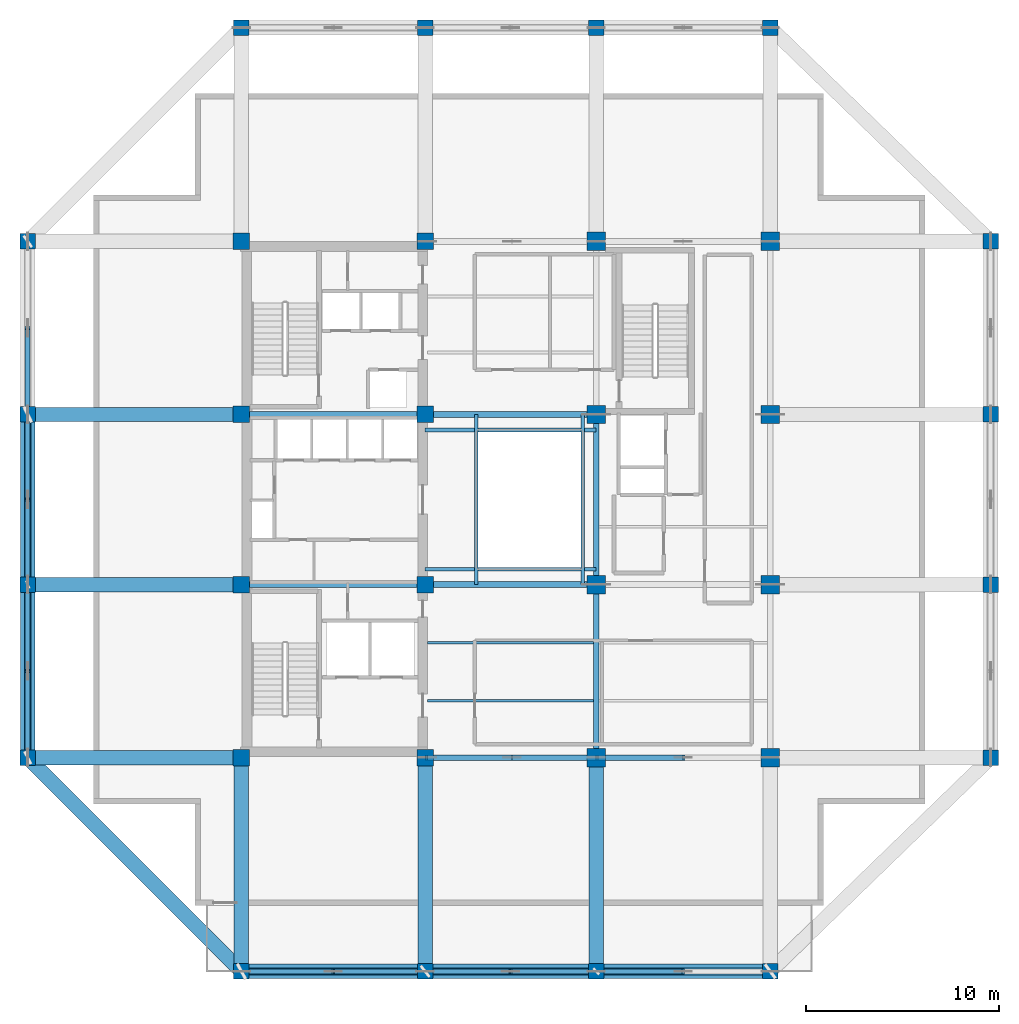
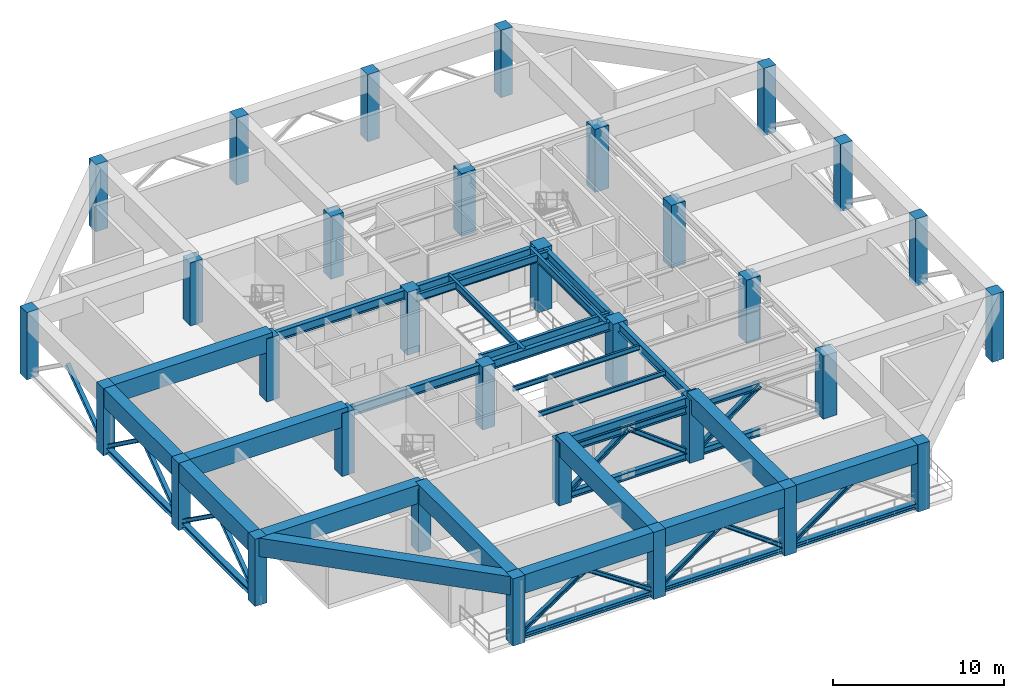
# One storey, part 1 of 10: 32 columns, 25 beams, 24 members.
"""IFC4 building model written with IfcOpenShell, lengths in metres."""

from ifc_helpers import new_model, si_unit, direction, frame, origin, origin_2d, place, context, subcontext, project, spatial, rectangle, i_section, extrude, material, material_profile, profile_set, type_object, element, save


model = new_model("IFC4")

# Units and contexts
model_context = context("Model", 3, precision=1e-05, world=origin(), true_north=direction((0.0, 1.0)))
body_context = subcontext(model_context, "Body", "Model", "MODEL_VIEW")
ifc_project = project(units=[si_unit("LENGTHUNIT", "METRE"), si_unit("AREAUNIT", "SQUARE_METRE"), si_unit("VOLUMEUNIT", "CUBIC_METRE"), si_unit("PLANEANGLEUNIT", "RADIAN"), si_unit("MASSUNIT", "GRAM", prefix="KILO")], contexts=[model_context])

# Site, building, storey
site_placement = place(None, origin())
site = spatial("IfcSite", under=ifc_project, at=site_placement, CompositionType="ELEMENT")
building_placement = place(site_placement, origin())
building = spatial("IfcBuilding", under=site, at=building_placement, Name="Kundavana Baori Tower", CompositionType="ELEMENT")
storey_placement = place(building_placement, frame((0.0, 0.0, 204.10009765625)))
storey = spatial("IfcBuildingStorey", under=building, at=storey_placement, Name="L50", CompositionType="ELEMENT", Elevation=204.10009765625)

# Columns
ifc_material_1 = material(Name="Concrete C50/60", Category="concrete")
ifc_material_profile_1 = material_profile(ifc_material_1, rectangle(XDim=0.800048828125, YDim=0.800048828125, at=origin_2d()), Name="RC PF 800x800")
ifc_profile_set_1 = profile_set([ifc_material_profile_1], Name="Concrete C50/60")
column_type_1 = type_object("IfcColumnType", Name="COL-PF-800", PredefinedType="COLUMN", material=ifc_profile_set_1)
for number, where, z_axis, x_axis, name in (
    (1, (15.449951171875, 4.199951171875, 0.0), (0.0, 0.0, 1.0), (1.0, 0.0, 0.0), "L50 Stone-Clad Perimeter Frame Column PF-S1"),
    (2, (15.449951171875, 53.0, 0.0), (0.0, 0.0, 1.0), (1.0, 0.0, 0.0), "L50 Stone-Clad Perimeter Frame Column PF-N1"),
    (3, (24.949951171875, 4.199951171875, 0.0), (0.0, 0.0, 1.0), (1.0, 0.0, 0.0), "L50 Stone-Clad Perimeter Frame Column PF-S2"),
    (4, (24.949951171875, 53.0, 0.0), (0.0, 0.0, 1.0), (1.0, 0.0, 0.0), "L50 Stone-Clad Perimeter Frame Column PF-N2"),
    (5, (33.800048828125, 4.199951171875, 0.0), (0.0, 0.0, 1.0), (1.0, 0.0, 0.0), "L50 Stone-Clad Perimeter Frame Column PF-S3"),
    (6, (33.800048828125, 53.0, 0.0), (0.0, 0.0, 1.0), (1.0, 0.0, 0.0), "L50 Stone-Clad Perimeter Frame Column PF-N3"),
    (7, (42.800048828125, 4.199951171875, 0.0), (0.0, 0.0, 1.0), (1.0, 0.0, 0.0), "L50 Stone-Clad Perimeter Frame Column PF-S4"),
    (8, (42.800048828125, 53.0, 0.0), (0.0, 0.0, 1.0), (1.0, 0.0, 0.0), "L50 Stone-Clad Perimeter Frame Column PF-N4"),
    (9, (4.39990234375, 15.25, 0.0), (0.0, 0.0, 1.0), (1.0, 0.0, 0.0), "L50 Stone-Clad Perimeter Frame Column PF-W1"),
    (10, (54.199951171875, 15.25, 0.0), (0.0, 0.0, 1.0), (1.0, 0.0, 0.0), "L50 Stone-Clad Perimeter Frame Column PF-E1"),
    (11, (4.39990234375, 24.199951171875, 0.0), (0.0, 0.0, 1.0), (1.0, 0.0, 0.0), "L50 Stone-Clad Perimeter Frame Column PF-W2"),
    (12, (54.199951171875, 24.199951171875, 0.0), (0.0, 0.0, 1.0), (1.0, 0.0, 0.0), "L50 Stone-Clad Perimeter Frame Column PF-E2"),
    (13, (4.39990234375, 33.0, 0.0), (0.0, 0.0, 1.0), (1.0, 0.0, 0.0), "L50 Stone-Clad Perimeter Frame Column PF-W3"),
    (14, (54.199951171875, 33.0, 0.0), (0.0, 0.0, 1.0), (1.0, 0.0, 0.0), "L50 Stone-Clad Perimeter Frame Column PF-E3"),
    (15, (4.39990234375, 41.949951171875, 0.0), (0.0, 0.0, 1.0), (1.0, 0.0, 0.0), "L50 Stone-Clad Perimeter Frame Column PF-W4"),
    (16, (54.199951171875, 41.949951171875, 0.0), (0.0, 0.0, 1.0), (1.0, 0.0, 0.0), "L50 Stone-Clad Perimeter Frame Column PF-E4"),
):
    element("IfcColumn", number, at=place(storey_placement, frame(where, z_axis=z_axis, x_axis=x_axis)), inside=storey, type_object=column_type_1, Name=name, PredefinedType="COLUMN", context=body_context, shape_type="SweptSolid", body=[
        extrude(rectangle(XDim=0.800048828125, YDim=0.800048828125, at=origin_2d()), origin(), (0.0, 0.0, 1.0), 4.7998046875),
    ])
ifc_material_2 = material(Name="Concrete C50/60", Category="concrete")
ifc_material_profile_2 = material_profile(ifc_material_2, rectangle(XDim=0.85009765625, YDim=0.85009765625, at=origin_2d()), Name="RC 850x850")
ifc_profile_set_2 = profile_set([ifc_material_profile_2], Name="Concrete C50/60")
column_type_2 = type_object("IfcColumnType", Name="COL-RC-850", PredefinedType="COLUMN", material=ifc_profile_set_2)
for number, where, z_axis, x_axis, name in (
    (17, (15.449951171875, 15.25, 0.0), (0.0, 0.0, 1.0), (1.0, 0.0, 0.0), "L50 Interior Column IC-3C"),
    (18, (15.449951171875, 24.199951171875, 0.0), (0.0, 0.0, 1.0), (1.0, 0.0, 0.0), "L50 Interior Column IC-3D"),
    (19, (15.449951171875, 33.0, 0.0), (0.0, 0.0, 1.0), (1.0, 0.0, 0.0), "L50 Interior Column IC-3E"),
    (20, (15.449951171875, 41.949951171875, 0.0), (0.0, 0.0, 1.0), (1.0, 0.0, 0.0), "L50 Interior Column IC-3F"),
    (21, (24.949951171875, 15.25, 0.0), (0.0, 0.0, 1.0), (1.0, 0.0, 0.0), "L50 Interior Column IC-4C"),
    (22, (24.949951171875, 24.199951171875, 0.0), (0.0, 0.0, 1.0), (1.0, 0.0, 0.0), "L50 Interior Column IC-4D"),
    (23, (24.949951171875, 33.0, 0.0), (0.0, 0.0, 1.0), (1.0, 0.0, 0.0), "L50 Interior Column IC-4E"),
    (24, (24.949951171875, 41.949951171875, 0.0), (0.0, 0.0, 1.0), (1.0, 0.0, 0.0), "L50 Interior Column IC-4F"),
):
    element("IfcColumn", number, at=place(storey_placement, frame(where, z_axis=z_axis, x_axis=x_axis)), inside=storey, type_object=column_type_2, Name=name, PredefinedType="COLUMN", context=body_context, shape_type="SweptSolid", body=[
        extrude(rectangle(XDim=0.85009765625, YDim=0.85009765625, at=origin_2d()), origin(), (0.0, 0.0, 1.0), 4.5),
    ])
ifc_material_3 = material(Name="Concrete C50/60", Category="concrete")
ifc_material_profile_3 = material_profile(ifc_material_3, rectangle(XDim=0.949951171875, YDim=0.949951171875, at=origin_2d()), Name="RC 950x950")
ifc_profile_set_3 = profile_set([ifc_material_profile_3], Name="Concrete C50/60")
column_type_3 = type_object("IfcColumnType", Name="COL-RC-950", PredefinedType="COLUMN", material=ifc_profile_set_3)
for number, where, z_axis, x_axis, name in (
    (25, (33.800048828125, 15.25, 0.0), (0.0, 0.0, 1.0), (1.0, 0.0, 0.0), "L50 Interior Column IC-5C"),
    (26, (33.800048828125, 24.199951171875, 0.0), (0.0, 0.0, 1.0), (1.0, 0.0, 0.0), "L50 Interior Column IC-5D"),
    (27, (33.800048828125, 33.0, 0.0), (0.0, 0.0, 1.0), (1.0, 0.0, 0.0), "L50 Interior Column IC-5E"),
    (28, (33.800048828125, 41.949951171875, 0.0), (0.0, 0.0, 1.0), (1.0, 0.0, 0.0), "L50 Interior Column IC-5F"),
    (29, (42.800048828125, 15.25, 0.0), (0.0, 0.0, 1.0), (1.0, 0.0, 0.0), "L50 Interior Column IC-6C"),
    (30, (42.800048828125, 24.199951171875, 0.0), (0.0, 0.0, 1.0), (1.0, 0.0, 0.0), "L50 Interior Column IC-6D"),
    (31, (42.800048828125, 33.0, 0.0), (0.0, 0.0, 1.0), (1.0, 0.0, 0.0), "L50 Interior Column IC-6E"),
    (32, (42.800048828125, 41.949951171875, 0.0), (0.0, 0.0, 1.0), (1.0, 0.0, 0.0), "L50 Interior Column IC-6F"),
):
    element("IfcColumn", number, at=place(storey_placement, frame(where, z_axis=z_axis, x_axis=x_axis)), inside=storey, type_object=column_type_3, Name=name, PredefinedType="COLUMN", context=body_context, shape_type="SweptSolid", body=[
        extrude(rectangle(XDim=0.949951171875, YDim=0.949951171875, at=origin_2d()), origin(), (0.0, 0.0, 1.0), 4.5),
    ])

# Beams
ifc_material_4 = material(Name="Structural Steel S355JR", Category="steel")
ifc_material_profile_4 = material_profile(ifc_material_4, i_section(OverallWidth=0.139892578125, OverallDepth=0.35009765625, WebThickness=0.008056640625, FlangeThickness=0.01416015625, FilletRadius=0.013916015625, at=origin_2d()), Name="ISMB 350")
ifc_profile_set_4 = profile_set([ifc_material_profile_4], Name="Structural Steel S355JR")
beam_type_1 = type_object("IfcBeamType", Name="BM-JST-350", PredefinedType="JOIST", material=ifc_profile_set_4)
for number, where, z_axis, x_axis, name in (
    (33, (25.080078125, 18.199951171875, 4.324951171875), (1.0, 0.0, 0.0), (0.0, 1.0, 0.0), "L50 Central Bay Composite Floor Joist C1"),
    (34, (25.080078125, 21.199951171875, 4.324951171875), (1.0, 0.0, 0.0), (0.0, 1.0, 0.0), "L50 Central Bay Composite Floor Joist C2"),
):
    element("IfcBeam", number, at=place(storey_placement, frame(where, z_axis=z_axis, x_axis=x_axis)), inside=storey, type_object=beam_type_1, Name=name, PredefinedType="JOIST", context=body_context, shape_type="SweptSolid", body=[
        extrude(i_section(OverallWidth=0.139892578125, OverallDepth=0.35009765625, WebThickness=0.008056640625, FlangeThickness=0.01416015625, FilletRadius=0.013916015625, at=origin_2d()), origin(), (0.0, 0.0, 1.0), 8.56982421875),
    ])
ifc_material_5 = material(Name="Structural Steel S355JR", Category="steel")
ifc_material_profile_5 = material_profile(ifc_material_5, i_section(OverallWidth=0.18994140625, OverallDepth=0.550048828125, WebThickness=0.01123046875, FlangeThickness=0.019287109375, FilletRadius=0.01806640625, at=origin_2d()), Name="ISMB 550")
ifc_profile_set_5 = profile_set([ifc_material_profile_5], Name="Structural Steel S355JR")
beam_type_2 = type_object("IfcBeamType", Name="BM-ST-550", PredefinedType="BEAM", material=ifc_profile_set_5)
for number, where, z_axis, x_axis, name in (
    (35, (27.60009765625, 24.199951171875, 4.224853515625), (0.0, 1.0, 0.0), (-1.0, 0.0, 0.0), "L50 Atrium West Edge Beam"),
    (36, (33.10009765625, 24.199951171875, 4.224853515625), (0.0, 1.0, 0.0), (-1.0, 0.0, 0.0), "L50 Atrium East Edge Beam"),
):
    element("IfcBeam", number, at=place(storey_placement, frame(where, z_axis=z_axis, x_axis=x_axis)), inside=storey, type_object=beam_type_2, Name=name, PredefinedType="BEAM", context=body_context, shape_type="SweptSolid", body=[
        extrude(i_section(OverallWidth=0.18994140625, OverallDepth=0.550048828125, WebThickness=0.01123046875, FlangeThickness=0.019287109375, FilletRadius=0.01806640625, at=origin_2d()), origin(), (0.0, 0.0, 1.0), 8.800048828125),
    ])
for number, where, z_axis, x_axis, name in (
    (37, (24.949951171875, 25.0, 4.224853515625), (1.0, 0.0, 0.0), (0.0, 1.0, 0.0), "L50 Atrium South Edge Beam"),
    (38, (24.949951171875, 32.199951171875, 4.224853515625), (1.0, 0.0, 0.0), (0.0, 1.0, 0.0), "L50 Atrium North Edge Beam"),
):
    element("IfcBeam", number, at=place(storey_placement, frame(where, z_axis=z_axis, x_axis=x_axis)), inside=storey, type_object=beam_type_2, Name=name, PredefinedType="BEAM", context=body_context, shape_type="SweptSolid", body=[
        extrude(i_section(OverallWidth=0.18994140625, OverallDepth=0.550048828125, WebThickness=0.01123046875, FlangeThickness=0.019287109375, FilletRadius=0.01806640625, at=origin_2d()), origin(), (0.0, 0.0, 1.0), 8.85009765625),
    ])
ifc_material_6 = material(Name="Structural Steel S355JR", Category="steel")
ifc_material_profile_6 = material_profile(ifc_material_6, i_section(OverallWidth=0.300048828125, OverallDepth=0.64990234375, WebThickness=0.013427734375, FlangeThickness=0.02197265625, FilletRadius=0.02392578125, at=origin_2d()), Name="NPB 650x300x155")
ifc_profile_set_6 = profile_set([ifc_material_profile_6], Name="Structural Steel S355JR")
beam_type_3 = type_object("IfcBeamType", Name="BM-ST-650", PredefinedType="BEAM", material=ifc_profile_set_6)
beam_1_placement = place(storey_placement, frame((24.949951171875, 15.25, 4.1748046875), z_axis=(1.0, 0.0, 0.0), x_axis=(0.0, 1.0, 0.0)))
element("IfcBeam", 39, at=beam_1_placement, inside=storey, type_object=beam_type_3, Name="L50 Primary Grid Girder GX-1-2", PredefinedType="BEAM", context=body_context, shape_type="SweptSolid", body=[
    extrude(i_section(OverallWidth=0.300048828125, OverallDepth=0.64990234375, WebThickness=0.013427734375, FlangeThickness=0.02197265625, FilletRadius=0.02392578125, at=origin_2d()), origin(), (0.0, 0.0, 1.0), 8.85009765625),
])
beam_2_placement = place(storey_placement, frame((15.449951171875, 24.199951171875, 4.1748046875), z_axis=(1.0, 0.0, 0.0), x_axis=(0.0, 1.0, 0.0)))
element("IfcBeam", 40, at=beam_2_placement, inside=storey, type_object=beam_type_3, Name="L50 Primary Grid Girder GX-2-1", PredefinedType="BEAM", context=body_context, shape_type="SweptSolid", body=[
    extrude(i_section(OverallWidth=0.300048828125, OverallDepth=0.64990234375, WebThickness=0.013427734375, FlangeThickness=0.02197265625, FilletRadius=0.02392578125, at=origin_2d()), origin(), (0.0, 0.0, 1.0), 9.5),
])
beam_3_placement = place(storey_placement, frame((24.949951171875, 24.199951171875, 4.1748046875), z_axis=(1.0, 0.0, 0.0), x_axis=(0.0, 1.0, 0.0)))
element("IfcBeam", 41, at=beam_3_placement, inside=storey, type_object=beam_type_3, Name="L50 Primary Grid Girder GX-2-2", PredefinedType="BEAM", context=body_context, shape_type="SweptSolid", body=[
    extrude(i_section(OverallWidth=0.300048828125, OverallDepth=0.64990234375, WebThickness=0.013427734375, FlangeThickness=0.02197265625, FilletRadius=0.02392578125, at=origin_2d()), origin(), (0.0, 0.0, 1.0), 8.85009765625),
])
beam_4_placement = place(storey_placement, frame((15.449951171875, 33.0, 4.1748046875), z_axis=(1.0, 0.0, 0.0), x_axis=(0.0, 1.0, 0.0)))
element("IfcBeam", 42, at=beam_4_placement, inside=storey, type_object=beam_type_3, Name="L50 Primary Grid Girder GX-3-1", PredefinedType="BEAM", context=body_context, shape_type="SweptSolid", body=[
    extrude(i_section(OverallWidth=0.300048828125, OverallDepth=0.64990234375, WebThickness=0.013427734375, FlangeThickness=0.02197265625, FilletRadius=0.02392578125, at=origin_2d()), origin(), (0.0, 0.0, 1.0), 9.5),
])
beam_5_placement = place(storey_placement, frame((24.949951171875, 33.0, 4.1748046875), z_axis=(1.0, 0.0, 0.0), x_axis=(0.0, 1.0, 0.0)))
element("IfcBeam", 43, at=beam_5_placement, inside=storey, type_object=beam_type_3, Name="L50 Primary Grid Girder GX-3-2", PredefinedType="BEAM", context=body_context, shape_type="SweptSolid", body=[
    extrude(i_section(OverallWidth=0.300048828125, OverallDepth=0.64990234375, WebThickness=0.013427734375, FlangeThickness=0.02197265625, FilletRadius=0.02392578125, at=origin_2d()), origin(), (0.0, 0.0, 1.0), 8.85009765625),
])
beam_6_placement = place(storey_placement, frame((33.800048828125, 15.25, 4.1748046875), z_axis=(0.0, 1.0, 0.0), x_axis=(-1.0, 0.0, 0.0)))
element("IfcBeam", 44, at=beam_6_placement, inside=storey, type_object=beam_type_3, Name="L50 Primary Grid Girder GY-3-1", PredefinedType="BEAM", context=body_context, shape_type="SweptSolid", body=[
    extrude(i_section(OverallWidth=0.300048828125, OverallDepth=0.64990234375, WebThickness=0.013427734375, FlangeThickness=0.02197265625, FilletRadius=0.02392578125, at=origin_2d()), origin(), (0.0, 0.0, 1.0), 8.949951171875),
])
beam_7_placement = place(storey_placement, frame((33.800048828125, 24.199951171875, 4.1748046875), z_axis=(0.0, 1.0, 0.0), x_axis=(-1.0, 0.0, 0.0)))
element("IfcBeam", 45, at=beam_7_placement, inside=storey, type_object=beam_type_3, Name="L50 Primary Grid Girder GY-3-2", PredefinedType="BEAM", context=body_context, shape_type="SweptSolid", body=[
    extrude(i_section(OverallWidth=0.300048828125, OverallDepth=0.64990234375, WebThickness=0.013427734375, FlangeThickness=0.02197265625, FilletRadius=0.02392578125, at=origin_2d()), origin(), (0.0, 0.0, 1.0), 8.800048828125),
])
ifc_material_7 = material(Name="Concrete C50/60", Category="concrete")
ifc_material_profile_7 = material_profile(ifc_material_7, rectangle(XDim=0.739990234375, YDim=1.320068359375, at=origin_2d()), Name="BM-TG-5")
ifc_profile_set_7 = profile_set([ifc_material_profile_7], Name="Concrete C50/60")
beam_type_4 = type_object("IfcBeamType", Name="BM-TG-5", PredefinedType="USERDEFINED", material=ifc_profile_set_7)
beam_8_placement = place(storey_placement, frame((15.449951171875, 4.199951171875, 4.139892578125), z_axis=(1.0, 0.0, 0.0), x_axis=(0.0, 1.0, 0.0)))
element("IfcBeam", 46, at=beam_8_placement, inside=storey, type_object=beam_type_4, Name="L50 Perimeter Frame Ring Beam S1", ObjectType="TRANSFER GIRDER", PredefinedType="USERDEFINED", context=body_context, shape_type="SweptSolid", body=[
    extrude(rectangle(XDim=0.739990234375, YDim=1.320068359375, at=origin_2d()), origin(), (0.0, 0.0, 1.0), 9.5),
])
beam_9_placement = place(storey_placement, frame((24.949951171875, 4.199951171875, 4.139892578125), z_axis=(1.0, 0.0, 0.0), x_axis=(0.0, 1.0, 0.0)))
element("IfcBeam", 47, at=beam_9_placement, inside=storey, type_object=beam_type_4, Name="L50 Perimeter Frame Ring Beam S2", ObjectType="TRANSFER GIRDER", PredefinedType="USERDEFINED", context=body_context, shape_type="SweptSolid", body=[
    extrude(rectangle(XDim=0.739990234375, YDim=1.320068359375, at=origin_2d()), origin(), (0.0, 0.0, 1.0), 8.85009765625),
])
beam_10_placement = place(storey_placement, frame((33.800048828125, 4.199951171875, 4.139892578125), z_axis=(1.0, 0.0, 0.0), x_axis=(0.0, 1.0, 0.0)))
element("IfcBeam", 48, at=beam_10_placement, inside=storey, type_object=beam_type_4, Name="L50 Perimeter Frame Ring Beam S3", ObjectType="TRANSFER GIRDER", PredefinedType="USERDEFINED", context=body_context, shape_type="SweptSolid", body=[
    extrude(rectangle(XDim=0.739990234375, YDim=1.320068359375, at=origin_2d()), origin(), (0.0, 0.0, 1.0), 9.0),
])
beam_11_placement = place(storey_placement, frame((4.39990234375, 15.25, 4.139892578125), z_axis=(0.0, 1.0, 0.0), x_axis=(-1.0, 0.0, 0.0)))
element("IfcBeam", 49, at=beam_11_placement, inside=storey, type_object=beam_type_4, Name="L50 Perimeter Frame Ring Beam W1", ObjectType="TRANSFER GIRDER", PredefinedType="USERDEFINED", context=body_context, shape_type="SweptSolid", body=[
    extrude(rectangle(XDim=0.739990234375, YDim=1.320068359375, at=origin_2d()), origin(), (0.0, 0.0, 1.0), 8.949951171875),
])
beam_12_placement = place(storey_placement, frame((4.39990234375, 24.199951171875, 4.139892578125), z_axis=(0.0, 1.0, 0.0), x_axis=(-1.0, 0.0, 0.0)))
element("IfcBeam", 50, at=beam_12_placement, inside=storey, type_object=beam_type_4, Name="L50 Perimeter Frame Ring Beam W2", ObjectType="TRANSFER GIRDER", PredefinedType="USERDEFINED", context=body_context, shape_type="SweptSolid", body=[
    extrude(rectangle(XDim=0.739990234375, YDim=1.320068359375, at=origin_2d()), origin(), (0.0, 0.0, 1.0), 8.800048828125),
])
beam_13_placement = place(storey_placement, frame((15.449951171875, 4.199951171875, 4.139892578125), z_axis=(-0.707106781187, 0.707106781187, 0.0), x_axis=(-0.707106781187, -0.707106781187, 0.0)))
element("IfcBeam", 51, at=beam_13_placement, inside=storey, type_object=beam_type_4, Name="L50 Notched Corner Perimeter Beam SW", ObjectType="TRANSFER GIRDER", PredefinedType="USERDEFINED", context=body_context, shape_type="SweptSolid", body=[
    extrude(rectangle(XDim=0.739990234375, YDim=1.320068359375, at=origin_2d()), origin(), (0.0, 0.0, 1.0), 15.627197265625),
])
for number, where, z_axis, x_axis, name in (
    (52, (15.449951171875, 15.25, 4.139892578125), (0.0, -1.0, 0.0), (1.0, 0.0, 0.0), "L50 South Radial Transfer Girder S1"),
    (53, (24.949951171875, 15.25, 4.139892578125), (0.0, -1.0, 0.0), (1.0, 0.0, 0.0), "L50 South Radial Transfer Girder S2"),
    (54, (33.800048828125, 15.25, 4.139892578125), (0.0, -1.0, 0.0), (1.0, 0.0, 0.0), "L50 South Radial Transfer Girder S3"),
    (55, (15.449951171875, 15.25, 4.139892578125), (-1.0, 0.0, 0.0), (0.0, -1.0, 0.0), "L50 West Radial Transfer Girder W1"),
    (56, (15.449951171875, 24.199951171875, 4.139892578125), (-1.0, 0.0, 0.0), (0.0, -1.0, 0.0), "L50 West Radial Transfer Girder W2"),
    (57, (15.449951171875, 33.0, 4.139892578125), (-1.0, 0.0, 0.0), (0.0, -1.0, 0.0), "L50 West Radial Transfer Girder W3"),
):
    element("IfcBeam", number, at=place(storey_placement, frame(where, z_axis=z_axis, x_axis=x_axis)), inside=storey, type_object=beam_type_4, Name=name, ObjectType="TRANSFER GIRDER", PredefinedType="USERDEFINED", context=body_context, shape_type="SweptSolid", body=[
        extrude(rectangle(XDim=0.739990234375, YDim=1.320068359375, at=origin_2d()), origin(), (0.0, 0.0, 1.0), 11.050048828125),
    ])

# Members
ifc_material_8 = material(Name="Structural Steel S355JR", Category="steel")
ifc_material_profile_8 = material_profile(ifc_material_8, i_section(OverallWidth=0.360107421875, OverallDepth=0.360107421875, WebThickness=0.012451171875, FlangeThickness=0.0224609375, FilletRadius=0.02392578125, at=origin_2d()), Name="WPB 360x360x142")
ifc_profile_set_8 = profile_set([ifc_material_profile_8], Name="Structural Steel S355JR")
member_type_1 = type_object("IfcMemberType", Name="MEM-BT-CH360", PredefinedType="CHORD", material=ifc_profile_set_8)
member_1_placement = place(storey_placement, frame((15.449951171875, 4.199951171875, 0.27978515625), z_axis=(1.0, 0.0, 0.0), x_axis=(0.0, 1.0, 0.0)))
element("IfcMember", 58, at=member_1_placement, inside=storey, type_object=member_type_1, Name="L50 Perimeter Belt Truss Bottom Chord S1", PredefinedType="CHORD", context=body_context, shape_type="SweptSolid", body=[
    extrude(i_section(OverallWidth=0.360107421875, OverallDepth=0.360107421875, WebThickness=0.012451171875, FlangeThickness=0.0224609375, FilletRadius=0.02392578125, at=origin_2d()), origin(), (0.0, 0.0, 1.0), 9.5),
])
member_2_placement = place(storey_placement, frame((24.949951171875, 4.199951171875, 0.27978515625), z_axis=(1.0, 0.0, 0.0), x_axis=(0.0, 1.0, 0.0)))
element("IfcMember", 59, at=member_2_placement, inside=storey, type_object=member_type_1, Name="L50 Perimeter Belt Truss Bottom Chord S2", PredefinedType="CHORD", context=body_context, shape_type="SweptSolid", body=[
    extrude(i_section(OverallWidth=0.360107421875, OverallDepth=0.360107421875, WebThickness=0.012451171875, FlangeThickness=0.0224609375, FilletRadius=0.02392578125, at=origin_2d()), origin(), (0.0, 0.0, 1.0), 8.85009765625),
])
member_3_placement = place(storey_placement, frame((33.800048828125, 4.199951171875, 0.27978515625), z_axis=(1.0, 0.0, 0.0), x_axis=(0.0, 1.0, 0.0)))
element("IfcMember", 60, at=member_3_placement, inside=storey, type_object=member_type_1, Name="L50 Perimeter Belt Truss Bottom Chord S3", PredefinedType="CHORD", context=body_context, shape_type="SweptSolid", body=[
    extrude(i_section(OverallWidth=0.360107421875, OverallDepth=0.360107421875, WebThickness=0.012451171875, FlangeThickness=0.0224609375, FilletRadius=0.02392578125, at=origin_2d()), origin(), (0.0, 0.0, 1.0), 9.0),
])
member_4_placement = place(storey_placement, frame((4.39990234375, 15.25, 0.27978515625), z_axis=(0.0, 1.0, 0.0), x_axis=(-1.0, 0.0, 0.0)))
element("IfcMember", 61, at=member_4_placement, inside=storey, type_object=member_type_1, Name="L50 Perimeter Belt Truss Bottom Chord W1", PredefinedType="CHORD", context=body_context, shape_type="SweptSolid", body=[
    extrude(i_section(OverallWidth=0.360107421875, OverallDepth=0.360107421875, WebThickness=0.012451171875, FlangeThickness=0.0224609375, FilletRadius=0.02392578125, at=origin_2d()), origin(), (0.0, 0.0, 1.0), 8.949951171875),
])
member_5_placement = place(storey_placement, frame((4.39990234375, 24.199951171875, 0.27978515625), z_axis=(0.0, 1.0, 0.0), x_axis=(-1.0, 0.0, 0.0)))
element("IfcMember", 62, at=member_5_placement, inside=storey, type_object=member_type_1, Name="L50 Perimeter Belt Truss Bottom Chord W2", PredefinedType="CHORD", context=body_context, shape_type="SweptSolid", body=[
    extrude(i_section(OverallWidth=0.360107421875, OverallDepth=0.360107421875, WebThickness=0.012451171875, FlangeThickness=0.0224609375, FilletRadius=0.02392578125, at=origin_2d()), origin(), (0.0, 0.0, 1.0), 8.800048828125),
])
ifc_material_9 = material(Name="Structural Steel S355JR", Category="steel")
ifc_material_profile_9 = material_profile(ifc_material_9, i_section(OverallWidth=0.260009765625, OverallDepth=0.260009765625, WebThickness=0.010009765625, FlangeThickness=0.017578125, FilletRadius=0.02392578125, at=origin_2d()), Name="WPB 260x260x93")
ifc_profile_set_9 = profile_set([ifc_material_profile_9], Name="Structural Steel S355JR")
member_type_2 = type_object("IfcMemberType", Name="MEM-BT-DG260", PredefinedType="BRACE", material=ifc_profile_set_9)
for number, where, z_axis, x_axis, name in (
    (63, (15.449951171875, 4.199951171875, 0.27978515625), (0.829338568263, 0.0, 0.558746399712), (0.0, 1.0, 0.0), "L50 Perimeter Belt Truss Diagonal S1A"),
    (64, (24.949951171875, 4.199951171875, 0.27978515625), (-0.829338568263, 0.0, 0.558746399712), (0.0, -1.0, 0.0), "L50 Perimeter Belt Truss Diagonal S1B"),
):
    element("IfcMember", number, at=place(storey_placement, frame(where, z_axis=z_axis, x_axis=x_axis)), inside=storey, type_object=member_type_2, Name=name, PredefinedType="BRACE", context=body_context, shape_type="SweptSolid", body=[
        extrude(i_section(OverallWidth=0.260009765625, OverallDepth=0.260009765625, WebThickness=0.010009765625, FlangeThickness=0.017578125, FilletRadius=0.02392578125, at=origin_2d()), origin(), (0.0, 0.0, 1.0), 5.7275390625),
    ])
for number, where, z_axis, x_axis, name in (
    (65, (24.949951171875, 4.199951171875, 0.27978515625), (0.810303001692, 0.0, 0.586011130824), (0.0, 1.0, 0.0), "L50 Perimeter Belt Truss Diagonal S2A"),
    (66, (33.800048828125, 4.199951171875, 0.27978515625), (-0.810303001692, 0.0, 0.586011130824), (0.0, -1.0, 0.0), "L50 Perimeter Belt Truss Diagonal S2B"),
):
    element("IfcMember", number, at=place(storey_placement, frame(where, z_axis=z_axis, x_axis=x_axis)), inside=storey, type_object=member_type_2, Name=name, PredefinedType="BRACE", context=body_context, shape_type="SweptSolid", body=[
        extrude(i_section(OverallWidth=0.260009765625, OverallDepth=0.260009765625, WebThickness=0.010009765625, FlangeThickness=0.017578125, FilletRadius=0.02392578125, at=origin_2d()), origin(), (0.0, 0.0, 1.0), 5.4609375),
    ])
member_6_placement = place(storey_placement, frame((33.800048828125, 4.199951171875, 0.27978515625), z_axis=(0.814938619191, 0.0, 0.57954727758), x_axis=(0.0, 1.0, 0.0)))
element("IfcMember", 67, at=member_6_placement, inside=storey, type_object=member_type_2, Name="L50 Perimeter Belt Truss Diagonal S3A", PredefinedType="BRACE", context=body_context, shape_type="SweptSolid", body=[
    extrude(i_section(OverallWidth=0.260009765625, OverallDepth=0.260009765625, WebThickness=0.010009765625, FlangeThickness=0.017578125, FilletRadius=0.02392578125, at=origin_2d()), origin(), (0.0, 0.0, 1.0), 5.52197265625),
])
member_7_placement = place(storey_placement, frame((4.39990234375, 15.25, 0.27978515625), z_axis=(0.0, 0.813415520099, 0.581683068055), x_axis=(-1.0, 0.0, 0.0)))
element("IfcMember", 68, at=member_7_placement, inside=storey, type_object=member_type_2, Name="L50 Perimeter Belt Truss Diagonal W1A", PredefinedType="BRACE", context=body_context, shape_type="SweptSolid", body=[
    extrude(i_section(OverallWidth=0.260009765625, OverallDepth=0.260009765625, WebThickness=0.010009765625, FlangeThickness=0.017578125, FilletRadius=0.02392578125, at=origin_2d()), origin(), (0.0, 0.0, 1.0), 5.501708984375),
])
member_8_placement = place(storey_placement, frame((4.39990234375, 24.199951171875, 0.27978515625), z_axis=(0.0, -0.813400504372, 0.581704065214), x_axis=(1.0, 0.0, 0.0)))
element("IfcMember", 69, at=member_8_placement, inside=storey, type_object=member_type_2, Name="L50 Perimeter Belt Truss Diagonal W1B", PredefinedType="BRACE", context=body_context, shape_type="SweptSolid", body=[
    extrude(i_section(OverallWidth=0.260009765625, OverallDepth=0.260009765625, WebThickness=0.010009765625, FlangeThickness=0.017578125, FilletRadius=0.02392578125, at=origin_2d()), origin(), (0.0, 0.0, 1.0), 5.50146484375),
])
member_9_placement = place(storey_placement, frame((4.39990234375, 24.199951171875, 0.27978515625), z_axis=(0.0, 0.808728322587, 0.588182369887), x_axis=(-1.0, 0.0, 0.0)))
element("IfcMember", 70, at=member_9_placement, inside=storey, type_object=member_type_2, Name="L50 Perimeter Belt Truss Diagonal W2A", PredefinedType="BRACE", context=body_context, shape_type="SweptSolid", body=[
    extrude(i_section(OverallWidth=0.260009765625, OverallDepth=0.260009765625, WebThickness=0.010009765625, FlangeThickness=0.017578125, FilletRadius=0.02392578125, at=origin_2d()), origin(), (0.0, 0.0, 1.0), 5.44091796875),
])
member_10_placement = place(storey_placement, frame((4.39990234375, 33.0, 0.27978515625), z_axis=(0.0, -0.808712797887, 0.588203715165), x_axis=(1.0, 0.0, 0.0)))
element("IfcMember", 71, at=member_10_placement, inside=storey, type_object=member_type_2, Name="L50 Perimeter Belt Truss Diagonal W2B", PredefinedType="BRACE", context=body_context, shape_type="SweptSolid", body=[
    extrude(i_section(OverallWidth=0.260009765625, OverallDepth=0.260009765625, WebThickness=0.010009765625, FlangeThickness=0.017578125, FilletRadius=0.02392578125, at=origin_2d()), origin(), (0.0, 0.0, 1.0), 5.440673828125),
])
member_11_placement = place(storey_placement, frame((4.39990234375, 33.0, 0.27978515625), z_axis=(0.0, 0.813415520099, 0.581683068055), x_axis=(-1.0, 0.0, 0.0)))
element("IfcMember", 72, at=member_11_placement, inside=storey, type_object=member_type_2, Name="L50 Perimeter Belt Truss Diagonal W3A", PredefinedType="BRACE", context=body_context, shape_type="SweptSolid", body=[
    extrude(i_section(OverallWidth=0.260009765625, OverallDepth=0.260009765625, WebThickness=0.010009765625, FlangeThickness=0.017578125, FilletRadius=0.02392578125, at=origin_2d()), origin(), (0.0, 0.0, 1.0), 5.501708984375),
])
ifc_material_10 = material(Name="Structural Steel S355JR", Category="steel")
ifc_material_profile_10 = material_profile(ifc_material_10, i_section(OverallWidth=0.300048828125, OverallDepth=0.5, WebThickness=0.014404296875, FlangeThickness=0.028076171875, FilletRadius=0.02392578125, at=origin_2d()), Name="WPB 500x300x155")
ifc_profile_set_10 = profile_set([ifc_material_profile_10], Name="Structural Steel S355JR")
member_type_3 = type_object("IfcMemberType", Name="MEM-OT-CH500", PredefinedType="CHORD", material=ifc_profile_set_10)
member_12_placement = place(storey_placement, frame((25.080078125, 15.25, 0.27978515625), z_axis=(1.0, 0.0, 0.0), x_axis=(0.0, 1.0, 0.0)))
element("IfcMember", 73, at=member_12_placement, inside=storey, type_object=member_type_3, Name="L50 Outrigger Truss OT1 Bottom Chord 1A", PredefinedType="CHORD", context=body_context, shape_type="SweptSolid", body=[
    extrude(i_section(OverallWidth=0.300048828125, OverallDepth=0.5, WebThickness=0.014404296875, FlangeThickness=0.028076171875, FilletRadius=0.02392578125, at=origin_2d()), origin(), (0.0, 0.0, 1.0), 4.35986328125),
])
member_13_placement = place(storey_placement, frame((29.43994140625, 15.25, 0.27978515625), z_axis=(1.0, 0.0, 0.0), x_axis=(0.0, 1.0, 0.0)))
element("IfcMember", 74, at=member_13_placement, inside=storey, type_object=member_type_3, Name="L50 Outrigger Truss OT1 Bottom Chord 1B", PredefinedType="CHORD", context=body_context, shape_type="SweptSolid", body=[
    extrude(i_section(OverallWidth=0.300048828125, OverallDepth=0.5, WebThickness=0.014404296875, FlangeThickness=0.028076171875, FilletRadius=0.02392578125, at=origin_2d()), origin(), (0.0, 0.0, 1.0), 4.360107421875),
])
member_14_placement = place(storey_placement, frame((25.080078125, 15.25, 3.599853515625), z_axis=(1.0, 0.0, 0.0), x_axis=(0.0, 1.0, 0.0)))
element("IfcMember", 75, at=member_14_placement, inside=storey, type_object=member_type_3, Name="L50 Outrigger Truss OT1 Top Chord 1A", PredefinedType="CHORD", context=body_context, shape_type="SweptSolid", body=[
    extrude(i_section(OverallWidth=0.300048828125, OverallDepth=0.5, WebThickness=0.014404296875, FlangeThickness=0.028076171875, FilletRadius=0.02392578125, at=origin_2d()), origin(), (0.0, 0.0, 1.0), 4.35986328125),
])
member_15_placement = place(storey_placement, frame((29.43994140625, 15.25, 3.599853515625), z_axis=(1.0, 0.0, 0.0), x_axis=(0.0, 1.0, 0.0)))
element("IfcMember", 76, at=member_15_placement, inside=storey, type_object=member_type_3, Name="L50 Outrigger Truss OT1 Top Chord 1B", PredefinedType="CHORD", context=body_context, shape_type="SweptSolid", body=[
    extrude(i_section(OverallWidth=0.300048828125, OverallDepth=0.5, WebThickness=0.014404296875, FlangeThickness=0.028076171875, FilletRadius=0.02392578125, at=origin_2d()), origin(), (0.0, 0.0, 1.0), 4.360107421875),
])
for number, where, z_axis, x_axis, name in (
    (77, (33.800048828125, 15.25, 0.27978515625), (1.0, 0.0, 0.0), (0.0, 1.0, 0.0), "L50 Outrigger Truss OT1 Bottom Chord 2A"),
    (78, (33.800048828125, 15.25, 3.599853515625), (1.0, 0.0, 0.0), (0.0, 1.0, 0.0), "L50 Outrigger Truss OT1 Top Chord 2A"),
):
    element("IfcMember", number, at=place(storey_placement, frame(where, z_axis=z_axis, x_axis=x_axis)), inside=storey, type_object=member_type_3, Name=name, PredefinedType="CHORD", context=body_context, shape_type="SweptSolid", body=[
        extrude(i_section(OverallWidth=0.300048828125, OverallDepth=0.5, WebThickness=0.014404296875, FlangeThickness=0.028076171875, FilletRadius=0.02392578125, at=origin_2d()), origin(), (0.0, 0.0, 1.0), 4.5),
    ])
ifc_material_11 = material(Name="Structural Steel S355JR", Category="steel")
ifc_material_profile_11 = material_profile(ifc_material_11, i_section(OverallWidth=0.300048828125, OverallDepth=0.300048828125, WebThickness=0.010986328125, FlangeThickness=0.01904296875, FilletRadius=0.02392578125, at=origin_2d()), Name="WPB 300x300x117")
ifc_profile_set_11 = profile_set([ifc_material_profile_11], Name="Structural Steel S355JR")
member_type_4 = type_object("IfcMemberType", Name="MEM-OT-DG300", PredefinedType="BRACE", material=ifc_profile_set_11)
member_16_placement = place(storey_placement, frame((25.080078125, 15.25, 0.27978515625), z_axis=(0.795584074456, 0.0, 0.605843197924), x_axis=(0.0, 1.0, 0.0)))
element("IfcMember", 79, at=member_16_placement, inside=storey, type_object=member_type_4, Name="L50 Outrigger Truss OT1 Diagonal 1A", PredefinedType="BRACE", context=body_context, shape_type="SweptSolid", body=[
    extrude(i_section(OverallWidth=0.300048828125, OverallDepth=0.300048828125, WebThickness=0.010986328125, FlangeThickness=0.01904296875, FilletRadius=0.02392578125, at=origin_2d()), origin(), (0.0, 0.0, 1.0), 5.47998046875),
])
member_17_placement = place(storey_placement, frame((33.800048828125, 15.25, 0.27978515625), z_axis=(-0.795600425695, 0.0, 0.605821725126), x_axis=(0.0, -1.0, 0.0)))
element("IfcMember", 80, at=member_17_placement, inside=storey, type_object=member_type_4, Name="L50 Outrigger Truss OT1 Diagonal 1B", PredefinedType="BRACE", context=body_context, shape_type="SweptSolid", body=[
    extrude(i_section(OverallWidth=0.300048828125, OverallDepth=0.300048828125, WebThickness=0.010986328125, FlangeThickness=0.01904296875, FilletRadius=0.02392578125, at=origin_2d()), origin(), (0.0, 0.0, 1.0), 5.480224609375),
])
member_18_placement = place(storey_placement, frame((33.800048828125, 15.25, 0.27978515625), z_axis=(0.804690280558, 0.0, 0.593694831017), x_axis=(0.0, 1.0, 0.0)))
element("IfcMember", 81, at=member_18_placement, inside=storey, type_object=member_type_4, Name="L50 Outrigger Truss OT1 Diagonal 2A", PredefinedType="BRACE", context=body_context, shape_type="SweptSolid", body=[
    extrude(i_section(OverallWidth=0.300048828125, OverallDepth=0.300048828125, WebThickness=0.010986328125, FlangeThickness=0.01904296875, FilletRadius=0.02392578125, at=origin_2d()), origin(), (0.0, 0.0, 1.0), 5.59228515625),
])

save(model, "model.ifc")
